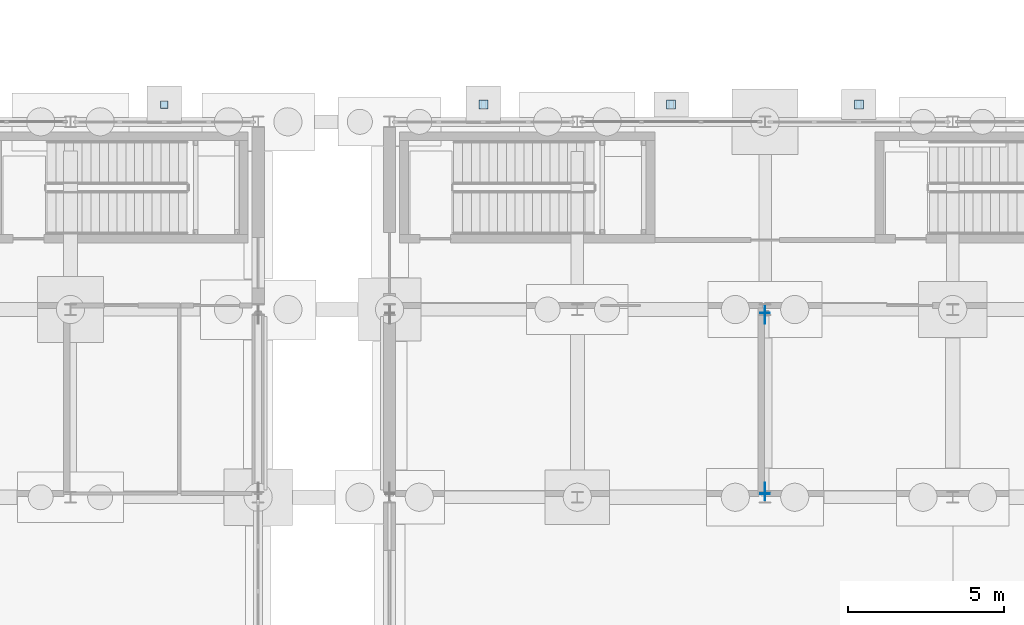
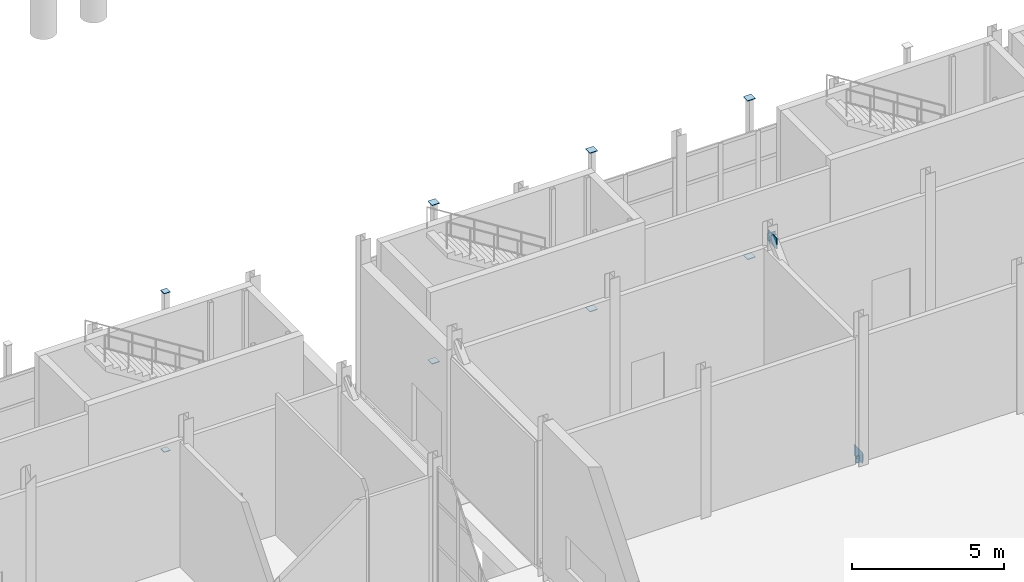
# One storey, part 81 of 120: 12 plates.
"""IFC4 building model written with IfcOpenShell, lengths in metres."""

from ifc_helpers import new_model, si_unit, direction, frame, origin, origin_2d, place, context, subcontext, project, spatial, rectangle, extrude, material, layer, layer_set, type_object, element, save


model = new_model("IFC4")

# Units and contexts
model_context = context("Model", 3, precision=1e-05, world=origin(), true_north=direction((0.0, 1.0)))
body_context = subcontext(model_context, "Body", "Model", "MODEL_VIEW")
ifc_project = project(units=[si_unit("LENGTHUNIT", "METRE"), si_unit("AREAUNIT", "SQUARE_METRE"), si_unit("VOLUMEUNIT", "CUBIC_METRE"), si_unit("PLANEANGLEUNIT", "RADIAN"), si_unit("MASSUNIT", "GRAM", prefix="KILO")], contexts=[model_context])

# Site, building, storey
site_placement = place(None, origin())
site = spatial("IfcSite", under=ifc_project, at=site_placement, CompositionType="ELEMENT")
building_placement = place(site_placement, origin())
building = spatial("IfcBuilding", under=site, at=building_placement, Name="Siltcreek Boulevard Central Fire Station", CompositionType="ELEMENT")
storey_placement = place(building_placement, origin())
storey = spatial("IfcBuildingStorey", under=building, at=storey_placement, Name="L01", CompositionType="ELEMENT", Elevation=0.0)

# Plates
ifc_material = material(Name="Structural steel ASTM A572 Gr50", Category="steel")
ifc_layer_1 = layer(ifc_material, 0.02490234375, Name="Structural steel ASTM A572 Gr50")
ifc_layer_set_1 = layer_set([ifc_layer_1], Name="Structural steel ASTM A572 Gr50")
plate_type_1 = type_object("IfcPlateType", Name="PL_CAP25", PredefinedType="USERDEFINED", material=ifc_layer_set_1)
for number, where, z_axis, x_axis, name in (
    (1, (45.0, 54.550048828125, -0.373046875), (0.0, 0.0, 1.0), (1.0, 0.0, 0.0), "Terracotta pier pilaster column PL-03 sealed end cap 1"),
    (2, (45.0, 54.550048828125, 5.998046875), (0.0, 0.0, 1.0), (1.0, 0.0, 0.0), "Terracotta pier pilaster column PL-03 sealed end cap 2"),
    (3, (51.0, 54.550048828125, -0.373046875), (0.0, 0.0, 1.0), (1.0, 0.0, 0.0), "Terracotta pier pilaster column PL-04 sealed end cap 1"),
    (4, (51.0, 54.550048828125, 5.998046875), (0.0, 0.0, 1.0), (1.0, 0.0, 0.0), "Terracotta pier pilaster column PL-04 sealed end cap 2"),
    (5, (57.0, 54.550048828125, -0.373046875), (0.0, 0.0, 1.0), (1.0, 0.0, 0.0), "Terracotta pier pilaster column PL-05 sealed end cap 1"),
    (6, (57.0, 54.550048828125, 5.998046875), (0.0, 0.0, 1.0), (1.0, 0.0, 0.0), "Terracotta pier pilaster column PL-05 sealed end cap 2"),
):
    element("IfcPlate", number, at=place(storey_placement, frame(where, z_axis=z_axis, x_axis=x_axis)), inside=storey, type_object=plate_type_1, Name=name, ObjectType="END CAP", PredefinedType="USERDEFINED", context=body_context, shape_type="SweptSolid", body=[
        extrude(rectangle(XDim=0.2900390625, YDim=0.2900390625, at=origin_2d()), origin(), (0.0, 0.0, 1.0), 0.02490234375),
    ])
for number, where, z_axis, x_axis, name in (
    (7, (34.800048828125, 54.550048828125, -0.373046875), (0.0, 0.0, 1.0), (1.0, 0.0, 0.0), "Terracotta pier pilaster column PL-15 sealed end cap 1"),
    (8, (34.800048828125, 54.550048828125, 5.998046875), (0.0, 0.0, 1.0), (1.0, 0.0, 0.0), "Terracotta pier pilaster column PL-15 sealed end cap 2"),
):
    element("IfcPlate", number, at=place(storey_placement, frame(where, z_axis=z_axis, x_axis=x_axis)), inside=storey, type_object=plate_type_1, Name=name, ObjectType="END CAP", PredefinedType="USERDEFINED", context=body_context, shape_type="SweptSolid", body=[
        extrude(rectangle(XDim=0.239990234375, YDim=0.239990234375, at=origin_2d()), origin(), (0.0, 0.0, 1.0), 0.02490234375),
    ])
for number, where, z_axis, x_axis, name in (
    (9, (54.0, 42.1123046875, -0.05224609375), (0.0, 0.0, 1.0), (0.0, 1.0, 0.0), "L01 SCBF concentrically braced frame BR-007 sealed end cap 1"),
    (10, (54.0, 47.8876953125, 5.412109375), (0.0, 0.0, 1.0), (0.0, 1.0, 0.0), "L01 SCBF concentrically braced frame BR-007 sealed end cap 2"),
):
    element("IfcPlate", number, at=place(storey_placement, frame(where, z_axis=z_axis, x_axis=x_axis)), inside=storey, type_object=plate_type_1, Name=name, ObjectType="END CAP", PredefinedType="USERDEFINED", context=body_context, shape_type="SweptSolid", body=[
        extrude(rectangle(XDim=0.02490234375, YDim=0.2900390625, at=origin_2d()), origin(), (0.0, 0.0, 1.0), 0.2900390625),
    ])
ifc_layer_2 = layer(ifc_material, 0.02197265625, Name="Structural steel ASTM A572 Gr50")
ifc_layer_set_2 = layer_set([ifc_layer_2], Name="Structural steel ASTM A572 Gr50")
plate_type_2 = type_object("IfcPlateType", Name="PL_GUS22", PredefinedType="USERDEFINED", material=ifc_layer_set_2)
plate_1_placement = place(storey_placement, frame((54.0, 42.179931640625, 0.030029296875), z_axis=(0.0, 0.0, 1.0), x_axis=(0.0, 1.0, 0.0)))
element("IfcPlate", 11, at=plate_1_placement, inside=storey, type_object=plate_type_2, Name="Seismic brace bot gusset plate GP-047", ObjectType="GUSSET PLATE", PredefinedType="USERDEFINED", context=body_context, shape_type="SweptSolid", body=[
    extrude(rectangle(XDim=0.56005859375, YDim=0.02197265625, at=origin_2d()), origin(), (0.0, 0.0, 1.0), 0.43994140625),
])
ifc_layer_3 = layer(ifc_material, 0.028076171875, Name="Structural steel ASTM A572 Gr50")
ifc_layer_set_3 = layer_set([ifc_layer_3], Name="Structural steel ASTM A572 Gr50")
plate_type_3 = type_object("IfcPlateType", Name="PL_GUS28", PredefinedType="USERDEFINED", material=ifc_layer_set_3)
plate_2_placement = place(storey_placement, frame((54.0, 47.820068359375, 5.22998046875), z_axis=(0.0, 0.0, 1.0), x_axis=(0.0, 1.0, 0.0)))
element("IfcPlate", 12, at=plate_2_placement, inside=storey, type_object=plate_type_3, Name="Seismic brace top gusset plate GP-048", ObjectType="GUSSET PLATE", PredefinedType="USERDEFINED", context=body_context, shape_type="SweptSolid", body=[
    extrude(rectangle(XDim=0.56005859375, YDim=0.028076171875, at=origin_2d()), origin(), (0.0, 0.0, 1.0), 0.43994140625),
])

save(model, "model.ifc")
